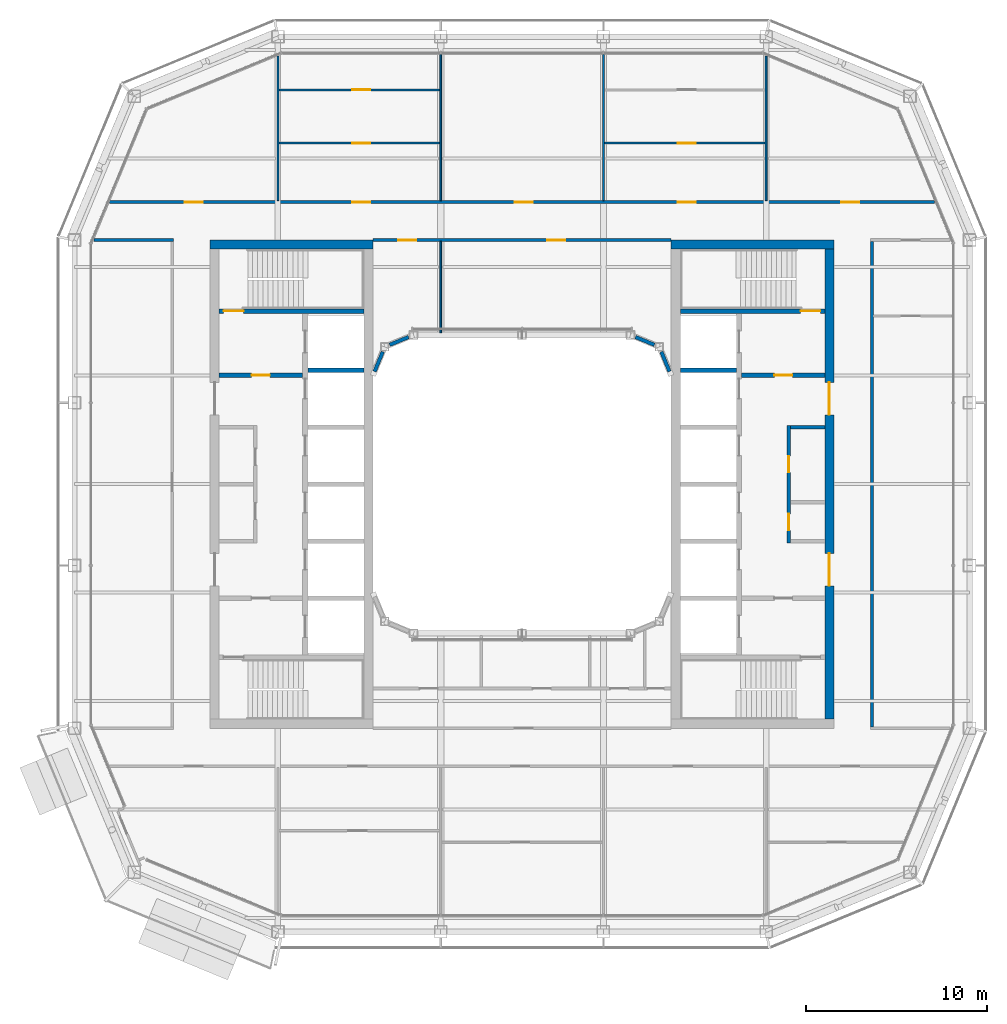
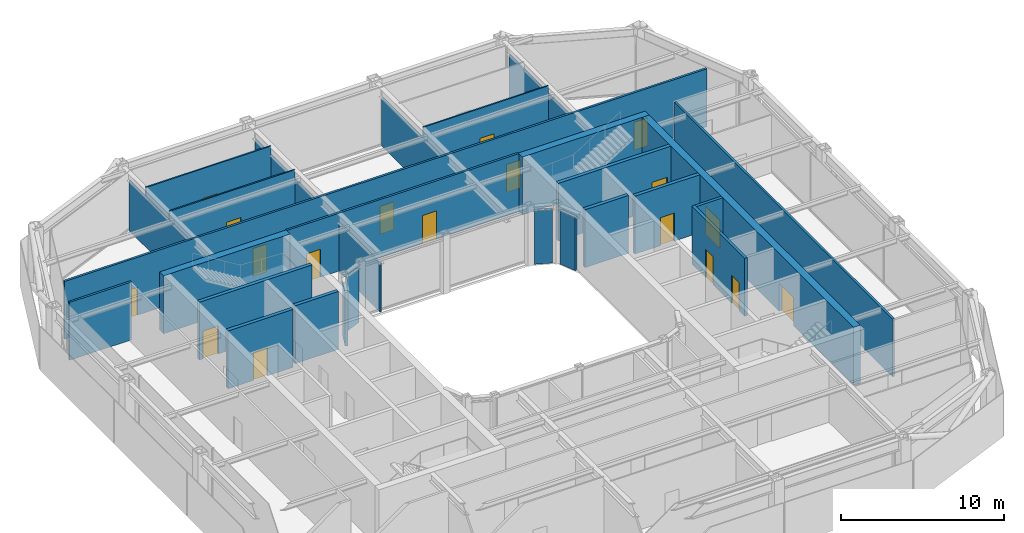
# One storey, part 13 of 21: 27 walls, 18 doors, 18 openings.
"""IFC4 building model written with IfcOpenShell, lengths in metres."""

from ifc_helpers import new_model, si_unit, direction, frame, frame_2d, origin, place, context, subcontext, project, spatial, rectangle, extrude, material, layer, layer_set, type_object, element, fill, save


model = new_model("IFC4")

# Units and contexts
model_context = context("Model", 3, precision=1e-05, world=origin(), true_north=direction((0.0, 1.0)))
body_context = subcontext(model_context, "Body", "Model", "MODEL_VIEW")
ifc_project = project(units=[si_unit("LENGTHUNIT", "METRE"), si_unit("AREAUNIT", "SQUARE_METRE"), si_unit("VOLUMEUNIT", "CUBIC_METRE"), si_unit("PLANEANGLEUNIT", "RADIAN"), si_unit("MASSUNIT", "GRAM", prefix="KILO")], contexts=[model_context])

# Site, building, storey
site_placement = place(None, origin())
site = spatial("IfcSite", under=ifc_project, at=site_placement, CompositionType="ELEMENT")
building_placement = place(site_placement, origin())
building = spatial("IfcBuilding", under=site, at=building_placement, Name="Siwar Civic Tower", CompositionType="ELEMENT")
storey_placement = place(building_placement, frame((0.0, 0.0, 334.699951171875)))
storey = spatial("IfcBuildingStorey", under=building, at=storey_placement, Name="L72", CompositionType="ELEMENT", Elevation=334.699951171875)

# Wall, openings, doors
ifc_material_1 = material(Name="Gypsum board on steel studs", Category="steel")
ifc_layer_1 = layer(ifc_material_1, 0.199951171875)
ifc_layer_set_1 = layer_set([ifc_layer_1], Name="Gypsum board on steel studs")
wall_type_1 = type_object("IfcWallType", Name="CORE-PARTITION-200", PredefinedType="PARTITIONING", material=ifc_layer_set_1)
wall_1_placement = place(storey_placement, frame((14.75, -3.25, 0.0), z_axis=(0.0, 0.0, 1.0), x_axis=(0.0, 1.0, 0.0)))
wall_1 = element("IfcWall", 1, at=wall_1_placement, inside=storey, type_object=wall_type_1, Name="Core partition E", PredefinedType="PARTITIONING", context=body_context, shape_type="SweptSolid", body=[
    extrude(rectangle(XDim=6.5, YDim=0.199951171875, at=frame_2d((3.25, 0.0))), origin(), (0.0, 0.0, 1.0), 4.35009765625),
])
opening_1_placement = place(wall_1_placement, frame((0.699951171875, 0.0, 0.0)))
opening_1 = element("IfcOpeningElement", 2, at=opening_1_placement, cuts=wall_1, Name="Opening L72-CE13", PredefinedType="OPENING", context=body_context, shape_type="SweptSolid", body=[
    extrude(rectangle(XDim=0.89990234375, YDim=2.10009765625, at=frame_2d((0.449951171875, 1.050048828125))), frame((0.0, 0.10986328125, 0.0), z_axis=(0.0, -1.0, 0.0), x_axis=(1.0, 0.0, 0.0)), (0.0, 0.0, 1.0), 0.219970703125),
])
opening_2_placement = place(wall_1_placement, frame((3.89990234375, 0.0, 0.0)))
opening_2 = element("IfcOpeningElement", 3, at=opening_2_placement, cuts=wall_1, Name="Opening L72-CE14", PredefinedType="OPENING", context=body_context, shape_type="SweptSolid", body=[
    extrude(rectangle(XDim=0.89990234375, YDim=2.10009765625, at=frame_2d((0.449951171875, 1.050048828125))), frame((0.0, 0.10986328125, 0.0), z_axis=(0.0, -1.0, 0.0), x_axis=(1.0, 0.0, 0.0)), (0.0, 0.0, 1.0), 0.219970703125),
])
ifc_material_2 = material(Name="Steel door leaf", Category="steel")
door_type_1 = type_object("IfcDoorType", Name="CORE-DOOR-ROOM", OperationType="SINGLE_SWING_LEFT", PredefinedType="DOOR", material=ifc_material_2)
door_1_placement = place(opening_1_placement, origin())
door_1 = element("IfcDoor", 4, at=door_1_placement, inside=storey, type_object=door_type_1, Name="Core room door L72-CE13", OperationType="SINGLE_SWING_LEFT", OverallHeight=2.10009765625, OverallWidth=0.89990234375, PredefinedType="DOOR", context=body_context, shape_type="SweptSolid", body=[
    extrude(rectangle(XDim=0.89990234375, YDim=2.10009765625, at=frame_2d((0.449951171875, 1.050048828125))), frame((0.0, 0.02490234375, 0.0), z_axis=(0.0, -1.0, 0.0), x_axis=(1.0, 0.0, 0.0)), (0.0, 0.0, 1.0), 0.050048828125),
])
fill(opening_1, door_1)
door_2_placement = place(opening_2_placement, origin())
door_2 = element("IfcDoor", 5, at=door_2_placement, inside=storey, type_object=door_type_1, Name="Core room door L72-CE14", OperationType="SINGLE_SWING_RIGHT", OverallHeight=2.10009765625, OverallWidth=0.89990234375, PredefinedType="DOOR", context=body_context, shape_type="SweptSolid", body=[
    extrude(rectangle(XDim=0.89990234375, YDim=2.10009765625, at=frame_2d((0.449951171875, 1.050048828125))), frame((0.0, 0.02490234375, 0.0), z_axis=(0.0, -1.0, 0.0), x_axis=(1.0, 0.0, 0.0)), (0.0, 0.0, 1.0), 0.050048828125),
])
fill(opening_2, door_2)

# Wall
wall_2_placement = place(storey_placement, frame((14.85009765625, 3.14990234375, 0.0), z_axis=(0.0, 0.0, 1.0), x_axis=(1.0, 0.0, 0.0)))
element("IfcWall", 6, at=wall_2_placement, inside=storey, type_object=wall_type_1, Name="Core partition E", PredefinedType="PARTITIONING", context=body_context, shape_type="SweptSolid", body=[
    extrude(rectangle(XDim=1.89990234375, YDim=0.199951171875, at=frame_2d((0.949951171875, 0.0))), origin(), (0.0, 0.0, 1.0), 4.35009765625),
])

# Wall, opening, door
ifc_material_3 = material(Name="Concrete C60/75", Category="concrete")
ifc_layer_2 = layer(ifc_material_3, 0.25)
ifc_layer_set_2 = layer_set([ifc_layer_2], Name="Concrete C60/75")
wall_type_2 = type_object("IfcWallType", Name="CORE-WALL-RC250", PredefinedType="SHEAR", material=ifc_layer_set_2)
wall_3_placement = place(storey_placement, frame((-12.14990234375, 6.02490234375, 0.0), z_axis=(0.0, 0.0, 1.0), x_axis=(-1.0, 0.0, 0.0)))
wall_3 = element("IfcWall", 7, at=wall_3_placement, inside=storey, type_object=wall_type_2, Name="Core wall W", PredefinedType="SHEAR", context=body_context, shape_type="SweptSolid", body=[
    extrude(rectangle(XDim=4.60009765625, YDim=0.25, at=frame_2d((2.300048828125, 0.0))), origin(), (0.0, 0.0, 1.0), 4.35009765625),
])
opening_3_placement = place(wall_3_placement, frame((1.800048828125, 0.0, 0.0)))
opening_3 = element("IfcOpeningElement", 8, at=opening_3_placement, cuts=wall_3, Name="Opening L72-CW01", PredefinedType="OPENING", context=body_context, shape_type="SweptSolid", body=[
    extrude(rectangle(XDim=1.0, YDim=2.10009765625, at=frame_2d((0.5, 1.050048828125))), frame((0.0, 0.135009765625, 0.0), z_axis=(0.0, -1.0, 0.0), x_axis=(1.0, 0.0, 0.0)), (0.0, 0.0, 1.0), 0.27001953125),
])
ifc_material_4 = material(Name="Steel door leaf", Category="steel")
door_type_2 = type_object("IfcDoorType", Name="CORE-DOOR-FD30S", OperationType="SINGLE_SWING_LEFT", PredefinedType="DOOR", material=ifc_material_4)
door_3_placement = place(opening_3_placement, origin())
door_3 = element("IfcDoor", 9, at=door_3_placement, inside=storey, type_object=door_type_2, Name="Firefighting lobby door L72-CW01", OperationType="SINGLE_SWING_LEFT", OverallHeight=2.10009765625, OverallWidth=1.0, PredefinedType="DOOR", context=body_context, shape_type="SweptSolid", body=[
    extrude(rectangle(XDim=1.0, YDim=2.10009765625, at=frame_2d((0.5, 1.050048828125))), frame((0.0, 0.02490234375, 0.0), z_axis=(0.0, -1.0, 0.0), x_axis=(1.0, 0.0, 0.0)), (0.0, 0.0, 1.0), 0.050048828125),
])
fill(opening_3, door_3)

# Wall
wall_4_placement = place(storey_placement, frame((-8.75, 6.300048828125, 0.0), z_axis=(0.0, 0.0, 1.0), x_axis=(-1.0, 0.0, 0.0)))
element("IfcWall", 10, at=wall_4_placement, inside=storey, type_object=wall_type_2, Name="Core wall W", PredefinedType="SHEAR", context=body_context, shape_type="SweptSolid", body=[
    extrude(rectangle(XDim=3.10009765625, YDim=0.25, at=frame_2d((1.550048828125, 0.0))), origin(), (0.0, 0.0, 1.0), 4.35009765625),
])

# Wall, opening, door
wall_5_placement = place(storey_placement, frame((-8.75, 9.574951171875, 0.0), z_axis=(0.0, 0.0, 1.0), x_axis=(-1.0, 0.0, 0.0)))
wall_5 = element("IfcWall", 11, at=wall_5_placement, inside=storey, type_object=wall_type_2, Name="Core wall W", PredefinedType="SHEAR", context=body_context, shape_type="SweptSolid", body=[
    extrude(rectangle(XDim=8.0, YDim=0.25, at=frame_2d((4.0, 0.0))), origin(), (0.0, 0.0, 1.0), 4.35009765625),
])
opening_4_placement = place(wall_5_placement, frame((6.64990234375, 0.0, 0.0)))
opening_4 = element("IfcOpeningElement", 12, at=opening_4_placement, cuts=wall_5, Name="Opening L72-CW03", PredefinedType="OPENING", context=body_context, shape_type="SweptSolid", body=[
    extrude(rectangle(XDim=1.10009765625, YDim=2.10009765625, at=frame_2d((0.550048828125, 1.050048828125))), frame((0.0, 0.135009765625, 0.0), z_axis=(0.0, -1.0, 0.0), x_axis=(1.0, 0.0, 0.0)), (0.0, 0.0, 1.0), 0.27001953125),
])
ifc_material_5 = material(Name="Steel door leaf", Category="steel")
door_type_3 = type_object("IfcDoorType", Name="CORE-DOOR-FD60S", OperationType="SINGLE_SWING_LEFT", PredefinedType="DOOR", material=ifc_material_5)
door_4_placement = place(opening_4_placement, origin())
door_4 = element("IfcDoor", 13, at=door_4_placement, inside=storey, type_object=door_type_3, Name="Stair door L72-CW03", OperationType="SINGLE_SWING_RIGHT", OverallHeight=2.10009765625, OverallWidth=1.10009765625, PredefinedType="DOOR", context=body_context, shape_type="SweptSolid", body=[
    extrude(rectangle(XDim=1.10009765625, YDim=2.10009765625, at=frame_2d((0.550048828125, 1.050048828125))), frame((0.0, 0.02490234375, 0.0), z_axis=(0.0, -1.0, 0.0), x_axis=(1.0, 0.0, 0.0)), (0.0, 0.0, 1.0), 0.050048828125),
])
fill(opening_4, door_4)

wall_6_placement = place(storey_placement, frame((12.14990234375, 6.02490234375, 0.0), z_axis=(0.0, 0.0, 1.0), x_axis=(1.0, 0.0, 0.0)))
wall_6 = element("IfcWall", 14, at=wall_6_placement, inside=storey, type_object=wall_type_2, Name="Core wall E", PredefinedType="SHEAR", context=body_context, shape_type="SweptSolid", body=[
    extrude(rectangle(XDim=4.60009765625, YDim=0.25, at=frame_2d((2.300048828125, 0.0))), origin(), (0.0, 0.0, 1.0), 4.35009765625),
])
opening_5_placement = place(wall_6_placement, frame((1.800048828125, 0.0, 0.0)))
opening_5 = element("IfcOpeningElement", 15, at=opening_5_placement, cuts=wall_6, Name="Opening L72-CE01", PredefinedType="OPENING", context=body_context, shape_type="SweptSolid", body=[
    extrude(rectangle(XDim=1.0, YDim=2.10009765625, at=frame_2d((0.5, 1.050048828125))), frame((0.0, 0.135009765625, 0.0), z_axis=(0.0, -1.0, 0.0), x_axis=(1.0, 0.0, 0.0)), (0.0, 0.0, 1.0), 0.27001953125),
])
door_5_placement = place(opening_5_placement, origin())
door_5 = element("IfcDoor", 16, at=door_5_placement, inside=storey, type_object=door_type_2, Name="Firefighting lobby door L72-CE01", OperationType="SINGLE_SWING_RIGHT", OverallHeight=2.10009765625, OverallWidth=1.0, PredefinedType="DOOR", context=body_context, shape_type="SweptSolid", body=[
    extrude(rectangle(XDim=1.0, YDim=2.10009765625, at=frame_2d((0.5, 1.050048828125))), frame((0.0, 0.02490234375, 0.0), z_axis=(0.0, -1.0, 0.0), x_axis=(1.0, 0.0, 0.0)), (0.0, 0.0, 1.0), 0.050048828125),
])
fill(opening_5, door_5)

# Wall
wall_7_placement = place(storey_placement, frame((8.75, 6.300048828125, 0.0), z_axis=(0.0, 0.0, 1.0), x_axis=(1.0, 0.0, 0.0)))
element("IfcWall", 17, at=wall_7_placement, inside=storey, type_object=wall_type_2, Name="Core wall E", PredefinedType="SHEAR", context=body_context, shape_type="SweptSolid", body=[
    extrude(rectangle(XDim=3.10009765625, YDim=0.25, at=frame_2d((1.550048828125, 0.0))), origin(), (0.0, 0.0, 1.0), 4.35009765625),
])

# Wall, opening, door
wall_8_placement = place(storey_placement, frame((8.75, 9.574951171875, 0.0), z_axis=(0.0, 0.0, 1.0), x_axis=(1.0, 0.0, 0.0)))
wall_8 = element("IfcWall", 18, at=wall_8_placement, inside=storey, type_object=wall_type_2, Name="Core wall E", PredefinedType="SHEAR", context=body_context, shape_type="SweptSolid", body=[
    extrude(rectangle(XDim=8.0, YDim=0.25, at=frame_2d((4.0, 0.0))), origin(), (0.0, 0.0, 1.0), 4.35009765625),
])
opening_6_placement = place(wall_8_placement, frame((6.64990234375, 0.0, 0.0)))
opening_6 = element("IfcOpeningElement", 19, at=opening_6_placement, cuts=wall_8, Name="Opening L72-CE03", PredefinedType="OPENING", context=body_context, shape_type="SweptSolid", body=[
    extrude(rectangle(XDim=1.10009765625, YDim=2.10009765625, at=frame_2d((0.550048828125, 1.050048828125))), frame((0.0, 0.135009765625, 0.0), z_axis=(0.0, -1.0, 0.0), x_axis=(1.0, 0.0, 0.0)), (0.0, 0.0, 1.0), 0.27001953125),
])
door_6_placement = place(opening_6_placement, origin())
door_6 = element("IfcDoor", 20, at=door_6_placement, inside=storey, type_object=door_type_3, Name="Stair door L72-CE03", OperationType="SINGLE_SWING_LEFT", OverallHeight=2.10009765625, OverallWidth=1.10009765625, PredefinedType="DOOR", context=body_context, shape_type="SweptSolid", body=[
    extrude(rectangle(XDim=1.10009765625, YDim=2.10009765625, at=frame_2d((0.550048828125, 1.050048828125))), frame((0.0, 0.02490234375, 0.0), z_axis=(0.0, -1.0, 0.0), x_axis=(1.0, 0.0, 0.0)), (0.0, 0.0, 1.0), 0.050048828125),
])
fill(opening_6, door_6)

# Wall
ifc_material_6 = material(Name="Concrete C60/75", Category="concrete")
ifc_layer_3 = layer(ifc_material_6, 0.5)
ifc_layer_set_3 = layer_set([ifc_layer_3], Name="Concrete C60/75")
wall_type_3 = type_object("IfcWallType", Name="CORE-WALL-RC500", PredefinedType="SHEAR", material=ifc_layer_set_3)
wall_9_placement = place(storey_placement, frame((-8.25, 13.25, 0.0), z_axis=(0.0, 0.0, 1.0), x_axis=(-1.0, 0.0, 0.0)))
element("IfcWall", 21, at=wall_9_placement, inside=storey, type_object=wall_type_3, Name="Core wall W", PredefinedType="SHEAR", context=body_context, shape_type="SweptSolid", body=[
    extrude(rectangle(XDim=9.0, YDim=0.5, at=frame_2d((4.5, 0.0))), origin(), (0.0, 0.0, 1.0), 4.35009765625),
])

# Wall, openings, doors
wall_10_placement = place(storey_placement, frame((17.0, -13.0, 0.0), z_axis=(0.0, 0.0, 1.0), x_axis=(0.0, 1.0, 0.0)))
wall_10 = element("IfcWall", 22, at=wall_10_placement, inside=storey, type_object=wall_type_3, Name="Core wall E", PredefinedType="SHEAR", context=body_context, shape_type="SweptSolid", body=[
    extrude(rectangle(XDim=26.0, YDim=0.5, at=frame_2d((13.0, 0.0))), origin(), (0.0, 0.0, 1.0), 4.35009765625),
])
opening_7_placement = place(wall_10_placement, frame((16.824951171875, 0.0, 0.0)))
opening_7 = element("IfcOpeningElement", 23, at=opening_7_placement, cuts=wall_10, Name="Opening L72-CE05", PredefinedType="OPENING", context=body_context, shape_type="SweptSolid", body=[
    extrude(rectangle(XDim=1.800048828125, YDim=2.10009765625, at=frame_2d((0.89990234375, 1.050048828125))), frame((0.0, 0.260009765625, 0.0), z_axis=(0.0, -1.0, 0.0), x_axis=(1.0, 0.0, 0.0)), (0.0, 0.0, 1.0), 0.52001953125),
])
opening_8_placement = place(wall_10_placement, frame((7.375, 0.0, 0.0)))
opening_8 = element("IfcOpeningElement", 24, at=opening_8_placement, cuts=wall_10, Name="Opening L72-CE06", PredefinedType="OPENING", context=body_context, shape_type="SweptSolid", body=[
    extrude(rectangle(XDim=1.800048828125, YDim=2.10009765625, at=frame_2d((0.89990234375, 1.050048828125))), frame((0.0, 0.260009765625, 0.0), z_axis=(0.0, -1.0, 0.0), x_axis=(1.0, 0.0, 0.0)), (0.0, 0.0, 1.0), 0.52001953125),
])
ifc_material_7 = material(Name="Steel door leaf", Category="steel")
door_type_4 = type_object("IfcDoorType", Name="CORE-DOOR-PORT", OperationType="DOUBLE_DOOR_DOUBLE_SWING", PredefinedType="DOOR", material=ifc_material_7)
door_7_placement = place(opening_7_placement, origin())
door_7 = element("IfcDoor", 25, at=door_7_placement, inside=storey, type_object=door_type_4, Name="Core entrance door L72-CE05", OperationType="DOUBLE_DOOR_DOUBLE_SWING", OverallHeight=2.10009765625, OverallWidth=1.800048828125, PredefinedType="DOOR", context=body_context, shape_type="SweptSolid", body=[
    extrude(rectangle(XDim=1.800048828125, YDim=2.10009765625, at=frame_2d((0.89990234375, 1.050048828125))), frame((0.0, 0.02490234375, 0.0), z_axis=(0.0, -1.0, 0.0), x_axis=(1.0, 0.0, 0.0)), (0.0, 0.0, 1.0), 0.050048828125),
])
fill(opening_7, door_7)
door_8_placement = place(opening_8_placement, origin())
door_8 = element("IfcDoor", 26, at=door_8_placement, inside=storey, type_object=door_type_4, Name="Core entrance door L72-CE06", OperationType="DOUBLE_DOOR_DOUBLE_SWING", OverallHeight=2.10009765625, OverallWidth=1.800048828125, PredefinedType="DOOR", context=body_context, shape_type="SweptSolid", body=[
    extrude(rectangle(XDim=1.800048828125, YDim=2.10009765625, at=frame_2d((0.89990234375, 1.050048828125))), frame((0.0, 0.02490234375, 0.0), z_axis=(0.0, -1.0, 0.0), x_axis=(1.0, 0.0, 0.0)), (0.0, 0.0, 1.0), 0.050048828125),
])
fill(opening_8, door_8)

# Walls
wall_11_placement = place(storey_placement, frame((8.25, 13.25, 0.0), z_axis=(0.0, 0.0, 1.0), x_axis=(1.0, 0.0, 0.0)))
element("IfcWall", 27, at=wall_11_placement, inside=storey, type_object=wall_type_3, Name="Core wall E", PredefinedType="SHEAR", context=body_context, shape_type="SweptSolid", body=[
    extrude(rectangle(XDim=9.0, YDim=0.5, at=frame_2d((4.5, 0.0))), origin(), (0.0, 0.0, 1.0), 4.35009765625),
])
ifc_material_8 = material(Name="Gypsum board on steel studs", Category="steel")
ifc_layer_4 = layer(ifc_material_8, 0.14990234375)
ifc_layer_set_4 = layer_set([ifc_layer_4], Name="Gypsum board on steel studs")
wall_type_4 = type_object("IfcWallType", Name="CORRIDOR PARTITION 150 EI 30", PredefinedType="PARTITIONING", material=ifc_layer_set_4)
wall_12_placement = place(storey_placement, frame((-23.677978515625, 13.5, 0.0), z_axis=(0.0, 0.0, 1.0), x_axis=(1.0, 0.0, 0.0)))
element("IfcWall", 28, at=wall_12_placement, inside=storey, type_object=wall_type_4, Name="L72/wall/P11", PredefinedType="PARTITIONING", context=body_context, shape_type="SweptSolid", body=[
    extrude(rectangle(XDim=4.403076171875, YDim=0.14990234375, at=frame_2d((2.20166015625, 0.0))), origin(), (0.0, 0.0, 1.0), 4.35009765625),
])

# Wall, openings, doors
wall_13_placement = place(storey_placement, frame((-8.25, 13.5, 0.0), z_axis=(0.0, 0.0, 1.0), x_axis=(1.0, 0.0, 0.0)))
wall_13 = element("IfcWall", 29, at=wall_13_placement, inside=storey, type_object=wall_type_4, Name="L72/wall/P12", PredefinedType="PARTITIONING", context=body_context, shape_type="SweptSolid", body=[
    extrude(rectangle(XDim=16.5, YDim=0.14990234375, at=frame_2d((8.25, 0.0))), origin(), (0.0, 0.0, 1.0), 4.35009765625),
])
opening_9_placement = place(wall_13_placement, frame((1.39990234375, 0.0, 0.0)))
opening_9 = element("IfcOpeningElement", 30, at=opening_9_placement, cuts=wall_13, Name="Opening D1", PredefinedType="OPENING", context=body_context, shape_type="SweptSolid", body=[
    extrude(rectangle(XDim=1.0, YDim=2.10009765625, at=frame_2d((0.5, 1.050048828125))), frame((0.0, 0.0849609375, 0.0), z_axis=(0.0, -1.0, 0.0), x_axis=(1.0, 0.0, 0.0)), (0.0, 0.0, 1.0), 0.169921875),
])
opening_10_placement = place(wall_13_placement, frame((9.64990234375, 0.0, 0.0)))
opening_10 = element("IfcOpeningElement", 31, at=opening_10_placement, cuts=wall_13, Name="Opening D1", PredefinedType="OPENING", context=body_context, shape_type="SweptSolid", body=[
    extrude(rectangle(XDim=1.0, YDim=2.10009765625, at=frame_2d((0.5, 1.050048828125))), frame((0.0, 0.0849609375, 0.0), z_axis=(0.0, -1.0, 0.0), x_axis=(1.0, 0.0, 0.0)), (0.0, 0.0, 1.0), 0.169921875),
])
ifc_material_9 = material(Name="Timber, painted", Category="wood")
door_type_5 = type_object("IfcDoorType", Name="DOOR 1000 X 2100 FD30", OperationType="SINGLE_SWING_LEFT", PredefinedType="DOOR", material=ifc_material_9)
door_9_placement = place(opening_9_placement, origin())
door_9 = element("IfcDoor", 32, at=door_9_placement, inside=storey, type_object=door_type_5, Name="L72-D21", OperationType="SINGLE_SWING_LEFT", OverallHeight=2.10009765625, OverallWidth=1.0, PredefinedType="DOOR", context=body_context, shape_type="SweptSolid", body=[
    extrude(rectangle(XDim=1.0, YDim=2.10009765625, at=frame_2d((0.5, 1.050048828125))), frame((0.0, 0.02490234375, 0.0), z_axis=(0.0, -1.0, 0.0), x_axis=(1.0, 0.0, 0.0)), (0.0, 0.0, 1.0), 0.050048828125),
])
fill(opening_9, door_9)
door_10_placement = place(opening_10_placement, origin())
door_10 = element("IfcDoor", 33, at=door_10_placement, inside=storey, type_object=door_type_5, Name="L72-D22", OperationType="SINGLE_SWING_RIGHT", OverallHeight=2.10009765625, OverallWidth=1.0, PredefinedType="DOOR", context=body_context, shape_type="SweptSolid", body=[
    extrude(rectangle(XDim=1.0, YDim=2.10009765625, at=frame_2d((0.5, 1.050048828125))), frame((0.0, 0.02490234375, 0.0), z_axis=(0.0, -1.0, 0.0), x_axis=(1.0, 0.0, 0.0)), (0.0, 0.0, 1.0), 0.050048828125),
])
fill(opening_10, door_10)

wall_14_placement = place(storey_placement, frame((-22.80810546875, 15.60009765625, 0.0), z_axis=(0.0, 0.0, 1.0), x_axis=(1.0, 0.0, 0.0)))
wall_14 = element("IfcWall", 34, at=wall_14_placement, inside=storey, type_object=wall_type_4, Name="L72/wall/P14", PredefinedType="PARTITIONING", context=body_context, shape_type="SweptSolid", body=[
    extrude(rectangle(XDim=45.6162109375, YDim=0.14990234375, at=frame_2d((22.80810546875, 0.0))), origin(), (0.0, 0.0, 1.0), 4.35009765625),
])
opening_11_placement = place(wall_14_placement, frame((13.407958984375, 0.0, 0.0)))
opening_11 = element("IfcOpeningElement", 35, at=opening_11_placement, cuts=wall_14, Name="Opening D1", PredefinedType="OPENING", context=body_context, shape_type="SweptSolid", body=[
    extrude(rectangle(XDim=1.0, YDim=2.10009765625, at=frame_2d((0.5, 1.050048828125))), frame((0.0, 0.0849609375, 0.0), z_axis=(0.0, -1.0, 0.0), x_axis=(1.0, 0.0, 0.0)), (0.0, 0.0, 1.0), 0.169921875),
])
opening_12_placement = place(wall_14_placement, frame((22.407958984375, 0.0, 0.0)))
opening_12 = element("IfcOpeningElement", 36, at=opening_12_placement, cuts=wall_14, Name="Opening D1", PredefinedType="OPENING", context=body_context, shape_type="SweptSolid", body=[
    extrude(rectangle(XDim=1.0, YDim=2.10009765625, at=frame_2d((0.5, 1.050048828125))), frame((0.0, 0.0849609375, 0.0), z_axis=(0.0, -1.0, 0.0), x_axis=(1.0, 0.0, 0.0)), (0.0, 0.0, 1.0), 0.169921875),
])
opening_13_placement = place(wall_14_placement, frame((31.407958984375, 0.0, 0.0)))
opening_13 = element("IfcOpeningElement", 37, at=opening_13_placement, cuts=wall_14, Name="Opening D1", PredefinedType="OPENING", context=body_context, shape_type="SweptSolid", body=[
    extrude(rectangle(XDim=1.0, YDim=2.10009765625, at=frame_2d((0.5, 1.050048828125))), frame((0.0, 0.0849609375, 0.0), z_axis=(0.0, -1.0, 0.0), x_axis=(1.0, 0.0, 0.0)), (0.0, 0.0, 1.0), 0.169921875),
])
opening_14_placement = place(wall_14_placement, frame((4.157958984375, 0.0, 0.0)))
opening_14 = element("IfcOpeningElement", 38, at=opening_14_placement, cuts=wall_14, Name="Opening D1", PredefinedType="OPENING", context=body_context, shape_type="SweptSolid", body=[
    extrude(rectangle(XDim=1.0, YDim=2.10009765625, at=frame_2d((0.5, 1.050048828125))), frame((0.0, 0.0849609375, 0.0), z_axis=(0.0, -1.0, 0.0), x_axis=(1.0, 0.0, 0.0)), (0.0, 0.0, 1.0), 0.169921875),
])
opening_15_placement = place(wall_14_placement, frame((40.466064453125, 0.0, 0.0)))
opening_15 = element("IfcOpeningElement", 39, at=opening_15_placement, cuts=wall_14, Name="Opening D1", PredefinedType="OPENING", context=body_context, shape_type="SweptSolid", body=[
    extrude(rectangle(XDim=1.0, YDim=2.10009765625, at=frame_2d((0.5, 1.050048828125))), frame((0.0, 0.0849609375, 0.0), z_axis=(0.0, -1.0, 0.0), x_axis=(1.0, 0.0, 0.0)), (0.0, 0.0, 1.0), 0.169921875),
])
door_11_placement = place(opening_11_placement, origin())
door_11 = element("IfcDoor", 40, at=door_11_placement, inside=storey, type_object=door_type_5, Name="L72-D01", OperationType="SINGLE_SWING_LEFT", OverallHeight=2.10009765625, OverallWidth=1.0, PredefinedType="DOOR", context=body_context, shape_type="SweptSolid", body=[
    extrude(rectangle(XDim=1.0, YDim=2.10009765625, at=frame_2d((0.5, 1.050048828125))), frame((0.0, 0.02490234375, 0.0), z_axis=(0.0, -1.0, 0.0), x_axis=(1.0, 0.0, 0.0)), (0.0, 0.0, 1.0), 0.050048828125),
])
fill(opening_11, door_11)
door_12_placement = place(opening_12_placement, origin())
door_12 = element("IfcDoor", 41, at=door_12_placement, inside=storey, type_object=door_type_5, Name="L72-D04", OperationType="SINGLE_SWING_RIGHT", OverallHeight=2.10009765625, OverallWidth=1.0, PredefinedType="DOOR", context=body_context, shape_type="SweptSolid", body=[
    extrude(rectangle(XDim=1.0, YDim=2.10009765625, at=frame_2d((0.5, 1.050048828125))), frame((0.0, 0.02490234375, 0.0), z_axis=(0.0, -1.0, 0.0), x_axis=(1.0, 0.0, 0.0)), (0.0, 0.0, 1.0), 0.050048828125),
])
fill(opening_12, door_12)
door_13_placement = place(opening_13_placement, origin())
door_13 = element("IfcDoor", 42, at=door_13_placement, inside=storey, type_object=door_type_5, Name="L72-D05", OperationType="SINGLE_SWING_LEFT", OverallHeight=2.10009765625, OverallWidth=1.0, PredefinedType="DOOR", context=body_context, shape_type="SweptSolid", body=[
    extrude(rectangle(XDim=1.0, YDim=2.10009765625, at=frame_2d((0.5, 1.050048828125))), frame((0.0, 0.02490234375, 0.0), z_axis=(0.0, -1.0, 0.0), x_axis=(1.0, 0.0, 0.0)), (0.0, 0.0, 1.0), 0.050048828125),
])
fill(opening_13, door_13)
door_14_placement = place(opening_14_placement, origin())
door_14 = element("IfcDoor", 43, at=door_14_placement, inside=storey, type_object=door_type_5, Name="L72-D13", OperationType="SINGLE_SWING_LEFT", OverallHeight=2.10009765625, OverallWidth=1.0, PredefinedType="DOOR", context=body_context, shape_type="SweptSolid", body=[
    extrude(rectangle(XDim=1.0, YDim=2.10009765625, at=frame_2d((0.5, 1.050048828125))), frame((0.0, 0.02490234375, 0.0), z_axis=(0.0, -1.0, 0.0), x_axis=(1.0, 0.0, 0.0)), (0.0, 0.0, 1.0), 0.050048828125),
])
fill(opening_14, door_14)
door_15_placement = place(opening_15_placement, origin())
door_15 = element("IfcDoor", 44, at=door_15_placement, inside=storey, type_object=door_type_5, Name="L72-D14", OperationType="SINGLE_SWING_RIGHT", OverallHeight=2.10009765625, OverallWidth=1.0, PredefinedType="DOOR", context=body_context, shape_type="SweptSolid", body=[
    extrude(rectangle(XDim=1.0, YDim=2.10009765625, at=frame_2d((0.5, 1.050048828125))), frame((0.0, 0.02490234375, 0.0), z_axis=(0.0, -1.0, 0.0), x_axis=(1.0, 0.0, 0.0)), (0.0, 0.0, 1.0), 0.050048828125),
])
fill(opening_15, door_15)

# Walls
wall_15_placement = place(storey_placement, frame((19.35009765625, -13.425048828125, 0.0), z_axis=(0.0, 0.0, 1.0), x_axis=(0.0, 1.0, 0.0)))
element("IfcWall", 45, at=wall_15_placement, inside=storey, type_object=wall_type_4, Name="L72/wall/P32", PredefinedType="PARTITIONING", context=body_context, shape_type="SweptSolid", body=[
    extrude(rectangle(XDim=26.85009765625, YDim=0.14990234375, at=frame_2d((13.425048828125, 0.0))), origin(), (0.0, 0.0, 1.0), 4.35009765625),
])
ifc_material_10 = material(Name="Aluminium clad insulated panel", Category="aluminium")
ifc_layer_5 = layer(ifc_material_10, 0.199951171875)
ifc_layer_set_5 = layer_set([ifc_layer_5], Name="Aluminium clad insulated panel")
wall_type_5 = type_object("IfcWallType", Name="ENV-WALL-WELL", PredefinedType="STANDARD", material=ifc_layer_set_5)
wall_16_placement = place(storey_placement, frame((8.154296875, 6.23095703125, 0.0), z_axis=(0.0, 0.0, 1.0), x_axis=(-0.382760542083, 0.92384758885, 0.0)))
element("IfcWall", 46, at=wall_16_placement, inside=storey, type_object=wall_type_5, Name="Light well corner wall NE1", PredefinedType="STANDARD", context=body_context, shape_type="SweptSolid", body=[
    extrude(rectangle(XDim=1.177978515625, YDim=0.199951171875, at=frame_2d((0.5888671875, 0.0))), origin(), (0.0, 0.0, 1.0), 4.010009765625),
])
for number, where, z_axis, x_axis, name in (
    (47, (7.3193359375, 7.703369140625, 0.0), (0.0, 0.0, 1.0), (-0.923864661962, 0.382719331074, 0.0), "Light well corner wall NE2"),
    (48, (-6.271484375, 8.137451171875, 0.0), (0.0, 0.0, 1.0), (-0.923864661962, -0.382719331074, 0.0), "Light well corner wall NW1"),
):
    element("IfcWall", number, at=place(storey_placement, frame(where, z_axis=z_axis, x_axis=x_axis)), inside=storey, type_object=wall_type_5, Name=name, PredefinedType="STANDARD", context=body_context, shape_type="SweptSolid", body=[
        extrude(rectangle(XDim=1.13427734375, YDim=0.199951171875, at=frame_2d((0.567138671875, 0.0))), origin(), (0.0, 0.0, 1.0), 4.010009765625),
    ])
wall_17_placement = place(storey_placement, frame((-7.703369140625, 7.3193359375, 0.0), z_axis=(0.0, 0.0, 1.0), x_axis=(-0.382760542083, -0.92384758885, 0.0)))
element("IfcWall", 49, at=wall_17_placement, inside=storey, type_object=wall_type_5, Name="Light well corner wall NW2", PredefinedType="STANDARD", context=body_context, shape_type="SweptSolid", body=[
    extrude(rectangle(XDim=1.177978515625, YDim=0.199951171875, at=frame_2d((0.5888671875, 0.0))), origin(), (0.0, 0.0, 1.0), 4.010009765625),
])

# Wall, opening, door
ifc_material_11 = material(Name="Gypsum board on steel studs", Category="steel")
ifc_layer_6 = layer(ifc_material_11, 0.10009765625)
ifc_layer_set_6 = layer_set([ifc_layer_6], Name="Gypsum board on steel studs")
wall_type_6 = type_object("IfcWallType", Name="PARTITION 100 GYPSUM", PredefinedType="PARTITIONING", material=ifc_layer_set_6)
wall_18_placement = place(storey_placement, frame((-13.449951171875, 18.864013671875, 0.0), z_axis=(0.0, 0.0, 1.0), x_axis=(1.0, 0.0, 0.0)))
wall_18 = element("IfcWall", 50, at=wall_18_placement, inside=storey, type_object=wall_type_6, Name="L72/wall/P15", PredefinedType="PARTITIONING", context=body_context, shape_type="SweptSolid", body=[
    extrude(rectangle(XDim=8.89990234375, YDim=0.10009765625, at=frame_2d((4.449951171875, 0.0))), origin(), (0.0, 0.0, 1.0), 4.35009765625),
])
opening_16_placement = place(wall_18_placement, frame((4.050048828125, 0.0, 0.0)))
opening_16 = element("IfcOpeningElement", 51, at=opening_16_placement, cuts=wall_18, Name="Opening D2", PredefinedType="OPENING", context=body_context, shape_type="SweptSolid", body=[
    extrude(rectangle(XDim=1.0, YDim=2.10009765625, at=frame_2d((0.5, 1.050048828125))), frame((0.0, 0.06005859375, 0.0), z_axis=(0.0, -1.0, 0.0), x_axis=(1.0, 0.0, 0.0)), (0.0, 0.0, 1.0), 0.1201171875),
])
ifc_material_12 = material(Name="Timber, painted", Category="wood")
door_type_6 = type_object("IfcDoorType", Name="DOOR 1000 X 2100", OperationType="SINGLE_SWING_LEFT", PredefinedType="DOOR", material=ifc_material_12)
door_16_placement = place(opening_16_placement, origin())
door_16 = element("IfcDoor", 52, at=door_16_placement, inside=storey, type_object=door_type_6, Name="L72-D02", OperationType="SINGLE_SWING_RIGHT", OverallHeight=2.10009765625, OverallWidth=1.0, PredefinedType="DOOR", context=body_context, shape_type="SweptSolid", body=[
    extrude(rectangle(XDim=1.0, YDim=2.10009765625, at=frame_2d((0.5, 1.050048828125))), frame((0.0, 0.02490234375, 0.0), z_axis=(0.0, -1.0, 0.0), x_axis=(1.0, 0.0, 0.0)), (0.0, 0.0, 1.0), 0.050048828125),
])
fill(opening_16, door_16)

wall_19_placement = place(storey_placement, frame((4.550048828125, 18.864013671875, 0.0), z_axis=(0.0, 0.0, 1.0), x_axis=(1.0, 0.0, 0.0)))
wall_19 = element("IfcWall", 53, at=wall_19_placement, inside=storey, type_object=wall_type_6, Name="L72/wall/P16", PredefinedType="PARTITIONING", context=body_context, shape_type="SweptSolid", body=[
    extrude(rectangle(XDim=8.89990234375, YDim=0.10009765625, at=frame_2d((4.449951171875, 0.0))), origin(), (0.0, 0.0, 1.0), 4.35009765625),
])
opening_17_placement = place(wall_19_placement, frame((4.050048828125, 0.0, 0.0)))
opening_17 = element("IfcOpeningElement", 54, at=opening_17_placement, cuts=wall_19, Name="Opening D2", PredefinedType="OPENING", context=body_context, shape_type="SweptSolid", body=[
    extrude(rectangle(XDim=1.0, YDim=2.10009765625, at=frame_2d((0.5, 1.050048828125))), frame((0.0, 0.06005859375, 0.0), z_axis=(0.0, -1.0, 0.0), x_axis=(1.0, 0.0, 0.0)), (0.0, 0.0, 1.0), 0.1201171875),
])
door_17_placement = place(opening_17_placement, origin())
door_17 = element("IfcDoor", 55, at=door_17_placement, inside=storey, type_object=door_type_6, Name="L72-D06", OperationType="SINGLE_SWING_RIGHT", OverallHeight=2.10009765625, OverallWidth=1.0, PredefinedType="DOOR", context=body_context, shape_type="SweptSolid", body=[
    extrude(rectangle(XDim=1.0, YDim=2.10009765625, at=frame_2d((0.5, 1.050048828125))), frame((0.0, 0.02490234375, 0.0), z_axis=(0.0, -1.0, 0.0), x_axis=(1.0, 0.0, 0.0)), (0.0, 0.0, 1.0), 0.050048828125),
])
fill(opening_17, door_17)

wall_20_placement = place(storey_placement, frame((-13.449951171875, 21.802001953125, 0.0), z_axis=(0.0, 0.0, 1.0), x_axis=(1.0, 0.0, 0.0)))
wall_20 = element("IfcWall", 56, at=wall_20_placement, inside=storey, type_object=wall_type_6, Name="L72/wall/P17", PredefinedType="PARTITIONING", context=body_context, shape_type="SweptSolid", body=[
    extrude(rectangle(XDim=8.89990234375, YDim=0.10009765625, at=frame_2d((4.449951171875, 0.0))), origin(), (0.0, 0.0, 1.0), 4.35009765625),
])
opening_18_placement = place(wall_20_placement, frame((4.050048828125, 0.0, 0.0)))
opening_18 = element("IfcOpeningElement", 57, at=opening_18_placement, cuts=wall_20, Name="Opening D2", PredefinedType="OPENING", context=body_context, shape_type="SweptSolid", body=[
    extrude(rectangle(XDim=1.0, YDim=2.10009765625, at=frame_2d((0.5, 1.050048828125))), frame((0.0, 0.06005859375, 0.0), z_axis=(0.0, -1.0, 0.0), x_axis=(1.0, 0.0, 0.0)), (0.0, 0.0, 1.0), 0.1201171875),
])
door_18_placement = place(opening_18_placement, origin())
door_18 = element("IfcDoor", 58, at=door_18_placement, inside=storey, type_object=door_type_6, Name="L72-D03", OperationType="SINGLE_SWING_LEFT", OverallHeight=2.10009765625, OverallWidth=1.0, PredefinedType="DOOR", context=body_context, shape_type="SweptSolid", body=[
    extrude(rectangle(XDim=1.0, YDim=2.10009765625, at=frame_2d((0.5, 1.050048828125))), frame((0.0, 0.02490234375, 0.0), z_axis=(0.0, -1.0, 0.0), x_axis=(1.0, 0.0, 0.0)), (0.0, 0.0, 1.0), 0.050048828125),
])
fill(opening_18, door_18)

# Walls
wall_21_placement = place(storey_placement, frame((-13.5, 15.675048828125, 0.0), z_axis=(0.0, 0.0, 1.0), x_axis=(0.0, 1.0, 0.0)))
element("IfcWall", 59, at=wall_21_placement, inside=storey, type_object=wall_type_6, Name="L72/wall/P21", PredefinedType="PARTITIONING", context=body_context, shape_type="SweptSolid", body=[
    extrude(rectangle(XDim=8.0029296875, YDim=0.10009765625, at=frame_2d((4.00146484375, 0.0))), origin(), (0.0, 0.0, 1.0), 3.75),
])
wall_22_placement = place(storey_placement, frame((-4.5, 8.3701171875, 0.0), z_axis=(0.0, 0.0, 1.0), x_axis=(0.0, 1.0, 0.0)))
element("IfcWall", 60, at=wall_22_placement, inside=storey, type_object=wall_type_6, Name="L72/wall/P23", PredefinedType="PARTITIONING", context=body_context, shape_type="SweptSolid", body=[
    extrude(rectangle(XDim=5.054931640625, YDim=0.10009765625, at=frame_2d((2.52734375, 0.0))), origin(), (0.0, 0.0, 1.0), 3.650146484375),
])
for number, where, z_axis, x_axis, name in (
    (61, (-4.5, 15.675048828125, 0.0), (0.0, 0.0, 1.0), (0.0, 1.0, 0.0), "L72/wall/P24"),
    (62, (4.5, 15.675048828125, 0.0), (0.0, 0.0, 1.0), (0.0, 1.0, 0.0), "L72/wall/P28"),
):
    element("IfcWall", number, at=place(storey_placement, frame(where, z_axis=z_axis, x_axis=x_axis)), inside=storey, type_object=wall_type_6, Name=name, PredefinedType="PARTITIONING", context=body_context, shape_type="SweptSolid", body=[
        extrude(rectangle(XDim=8.0849609375, YDim=0.10009765625, at=frame_2d((4.04248046875, 0.0))), origin(), (0.0, 0.0, 1.0), 3.650146484375),
    ])
wall_23_placement = place(storey_placement, frame((13.5, 15.675048828125, 0.0), z_axis=(0.0, 0.0, 1.0), x_axis=(0.0, 1.0, 0.0)))
element("IfcWall", 63, at=wall_23_placement, inside=storey, type_object=wall_type_6, Name="L72/wall/P31", PredefinedType="PARTITIONING", context=body_context, shape_type="SweptSolid", body=[
    extrude(rectangle(XDim=8.0029296875, YDim=0.10009765625, at=frame_2d((4.00146484375, 0.0))), origin(), (0.0, 0.0, 1.0), 3.75),
])

save(model, "model.ifc")
